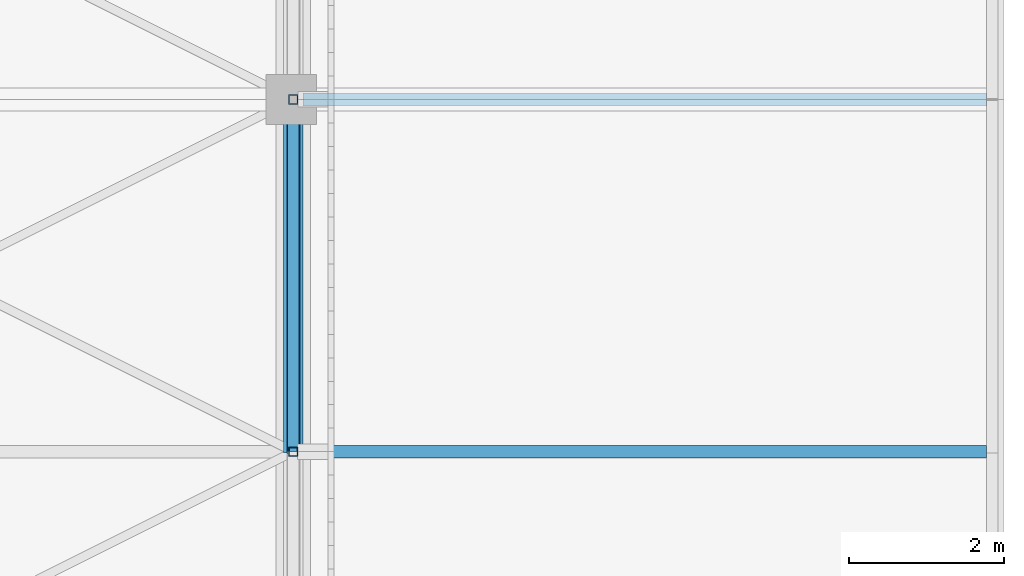
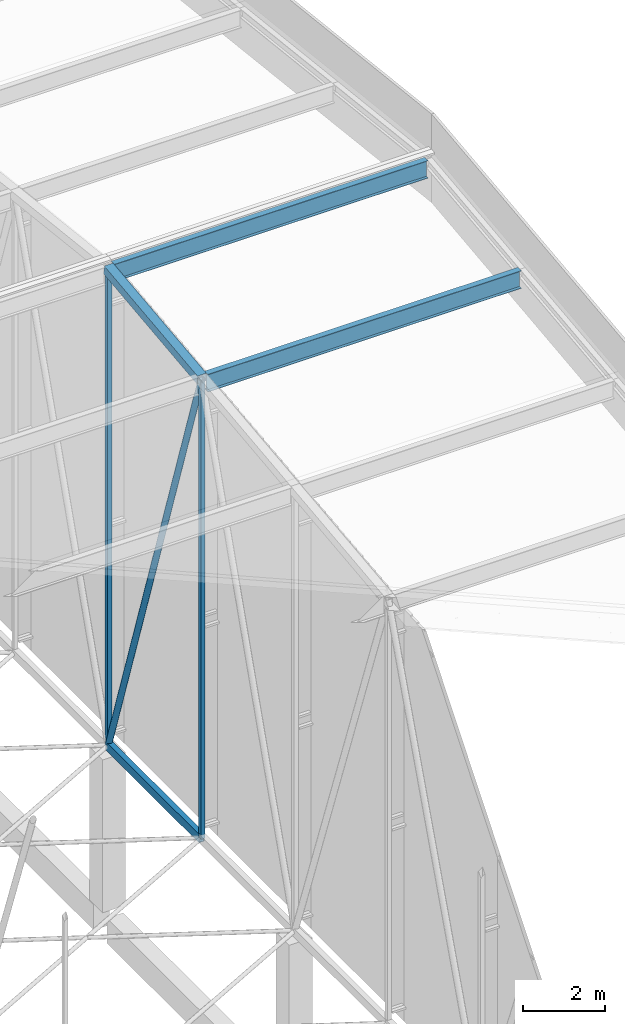
# One storey, part 367 of 500: 7 members.
"""IFC4 building model written with IfcOpenShell, lengths in metres."""

from ifc_helpers import new_model, si_unit, direction, frame, origin, origin_2d, place, context, subcontext, project, spatial, hollow_rectangle, hollow_circle, i_section, extrude, material, material_profile, profile_set, type_object, element, save


model = new_model("IFC4")

# Units and contexts
model_context = context("Model", 3, precision=1e-05, world=origin(), true_north=direction((0.0, 1.0)))
body_context = subcontext(model_context, "Body", "Model", "MODEL_VIEW")
ifc_project = project(units=[si_unit("LENGTHUNIT", "METRE"), si_unit("AREAUNIT", "SQUARE_METRE"), si_unit("VOLUMEUNIT", "CUBIC_METRE"), si_unit("PLANEANGLEUNIT", "RADIAN"), si_unit("MASSUNIT", "GRAM", prefix="KILO")], contexts=[model_context])

# Site, building, storey
site_placement = place(None, origin())
site = spatial("IfcSite", under=ifc_project, at=site_placement, CompositionType="ELEMENT")
building_placement = place(site_placement, origin())
building = spatial("IfcBuilding", under=site, at=building_placement, Name="Shirokan Park Arena", CompositionType="ELEMENT")
storey_placement = place(building_placement, frame((0.0, 0.0, 29.1201171875)))
storey = spatial("IfcBuildingStorey", under=building, at=storey_placement, Name="L06", CompositionType="ELEMENT", Elevation=29.1201171875)

# Members
ifc_material_1 = material(Name="Steel ASTM A500 Grade C", Category="steel")
ifc_material_profile_1 = material_profile(ifc_material_1, hollow_rectangle(XDim=0.152099609375, YDim=0.25390625, WallThickness=0.009521484375, at=origin_2d()), Name="HSS254X152.4X9.5")
ifc_profile_set_1 = profile_set([ifc_material_profile_1], Name="Steel ASTM A500 Grade C")
member_type_1 = type_object("IfcMemberType", Name="Bottom chord HSS254X152.4X9.5", PredefinedType="CHORD", material=ifc_profile_set_1)
member_1_placement = place(storey_placement, frame((145.60009765625, 50.050048828125, 4.677001953125), z_axis=(0.0, 1.0, 0.0), x_axis=(-1.0, 0.0, 0.0)))
element("IfcMember", 1, at=member_1_placement, inside=storey, type_object=member_type_1, Name="Truss T17 bottom chord 14", PredefinedType="CHORD", context=body_context, shape_type="SweptSolid", body=[
    extrude(hollow_rectangle(XDim=0.152099609375, YDim=0.25390625, WallThickness=0.009521484375, at=origin_2d()), origin(), (0.0, 0.0, 1.0), 4.550048828125),
])
ifc_material_2 = material(Name="Steel ASTM A992", Category="steel")
ifc_material_profile_2 = material_profile(ifc_material_2, i_section(OverallWidth=0.166015625, OverallDepth=0.528076171875, WebThickness=0.009765625, FlangeThickness=0.013671875, at=origin_2d()), Name="W530X74")
ifc_profile_set_2 = profile_set([ifc_material_profile_2], Name="Steel ASTM A992")
member_type_2 = type_object("IfcMemberType", Name="Purlin W530X74", PredefinedType="PURLIN", material=ifc_profile_set_2)
for number, where, z_axis, x_axis, name in (
    (2, (145.72705078125, 50.050048828125, 18.205810546875), (1.0, 0.0, 0.0), (0.0, 1.0, 0.0), "Eave purlin east 14"),
    (3, (145.72705078125, 54.60009765625, 18.725830078125), (1.0, 0.0, 0.0), (0.0, 1.0, 0.0), "Eave purlin east 15"),
):
    element("IfcMember", number, at=place(storey_placement, frame(where, z_axis=z_axis, x_axis=x_axis)), inside=storey, type_object=member_type_2, Name=name, PredefinedType="PURLIN", context=body_context, shape_type="SweptSolid", body=[
        extrude(i_section(OverallWidth=0.166015625, OverallDepth=0.528076171875, WebThickness=0.009765625, FlangeThickness=0.013671875, at=origin_2d()), origin(), (0.0, 0.0, 1.0), 8.824951171875),
    ])
ifc_material_profile_3 = material_profile(ifc_material_1, hollow_rectangle(XDim=0.25390625, YDim=0.25390625, WallThickness=0.009521484375, at=origin_2d()), Name="HSS254X254X9.5")
ifc_profile_set_3 = profile_set([ifc_material_profile_3], Name="Steel ASTM A500 Grade C")
member_type_3 = type_object("IfcMemberType", Name="Top chord HSS254X254X9.5", PredefinedType="CHORD", material=ifc_profile_set_3)
member_2_placement = place(storey_placement, frame((145.60009765625, 50.050048828125, 18.3427734375), z_axis=(0.0, 0.993532328996, 0.113549598152), x_axis=(-1.0, 0.0, 0.0)))
element("IfcMember", 4, at=member_2_placement, inside=storey, type_object=member_type_3, Name="Truss T17 top chord 14", PredefinedType="CHORD", context=body_context, shape_type="SweptSolid", body=[
    extrude(hollow_rectangle(XDim=0.25390625, YDim=0.25390625, WallThickness=0.009521484375, at=origin_2d()), origin(), (0.0, 0.0, 1.0), 4.57958984375),
])
ifc_material_profile_4 = material_profile(ifc_material_1, hollow_circle(Radius=0.083984375, WallThickness=0.009521484375, at=origin_2d()), Name="HSS168.3X9.5")
ifc_profile_set_4 = profile_set([ifc_material_profile_4], Name="Steel ASTM A500 Grade C")
member_type_4 = type_object("IfcMemberType", Name="Truss diagonal HSS168.3X9.5", PredefinedType="BRACE", material=ifc_profile_set_4)
member_3_placement = place(storey_placement, frame((145.60009765625, 50.050048828125, 18.3427734375), z_axis=(0.0, 0.315902302102, -0.948791723998), x_axis=(-1.0, 0.0, 0.0)))
element("IfcMember", 5, at=member_3_placement, inside=storey, type_object=member_type_4, Name="Truss T17 diagonal 14", PredefinedType="BRACE", context=body_context, shape_type="SweptSolid", body=[
    extrude(hollow_circle(Radius=0.083984375, WallThickness=0.009521484375, at=origin_2d()), origin(), (0.0, 0.0, 1.0), 14.4033203125),
])
ifc_material_profile_5 = material_profile(ifc_material_1, hollow_rectangle(XDim=0.114013671875, YDim=0.114013671875, WallThickness=0.00634765625, at=origin_2d()), Name="HSS114.3X114.3X6.4")
ifc_profile_set_5 = profile_set([ifc_material_profile_5], Name="Steel ASTM A500 Grade C")
member_type_5 = type_object("IfcMemberType", Name="Truss post HSS114.3X114.3X6.4", PredefinedType="POST", material=ifc_profile_set_5)
member_4_placement = place(storey_placement, frame((145.60009765625, 50.050048828125, 4.677001953125), z_axis=(0.0, 0.0, 1.0), x_axis=(1.0, 0.0, 0.0)))
element("IfcMember", 6, at=member_4_placement, inside=storey, type_object=member_type_5, Name="Truss T17 post 14", PredefinedType="POST", context=body_context, shape_type="SweptSolid", body=[
    extrude(hollow_rectangle(XDim=0.114013671875, YDim=0.114013671875, WallThickness=0.00634765625, at=origin_2d()), origin(), (0.0, 0.0, 1.0), 13.665771484375),
])
ifc_material_profile_6 = material_profile(ifc_material_1, hollow_rectangle(XDim=0.126953125, YDim=0.126953125, WallThickness=0.0126953125, at=origin_2d()), Name="HSS127X127X12.7")
ifc_profile_set_6 = profile_set([ifc_material_profile_6], Name="Steel ASTM A500 Grade C")
member_type_6 = type_object("IfcMemberType", Name="Truss post HSS127X127X12.7", PredefinedType="POST", material=ifc_profile_set_6)
member_5_placement = place(storey_placement, frame((145.60009765625, 54.60009765625, 4.677001953125), z_axis=(0.0, 0.0, 1.0), x_axis=(1.0, 0.0, 0.0)))
element("IfcMember", 7, at=member_5_placement, inside=storey, type_object=member_type_6, Name="Truss T17 post 15", PredefinedType="POST", context=body_context, shape_type="SweptSolid", body=[
    extrude(hollow_rectangle(XDim=0.126953125, YDim=0.126953125, WallThickness=0.0126953125, at=origin_2d()), origin(), (0.0, 0.0, 1.0), 14.185791015625),
])

save(model, "model.ifc")
